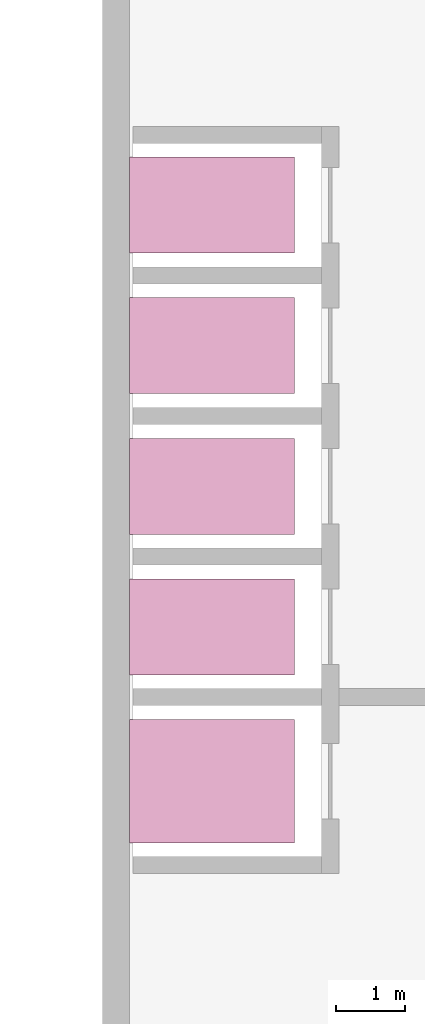
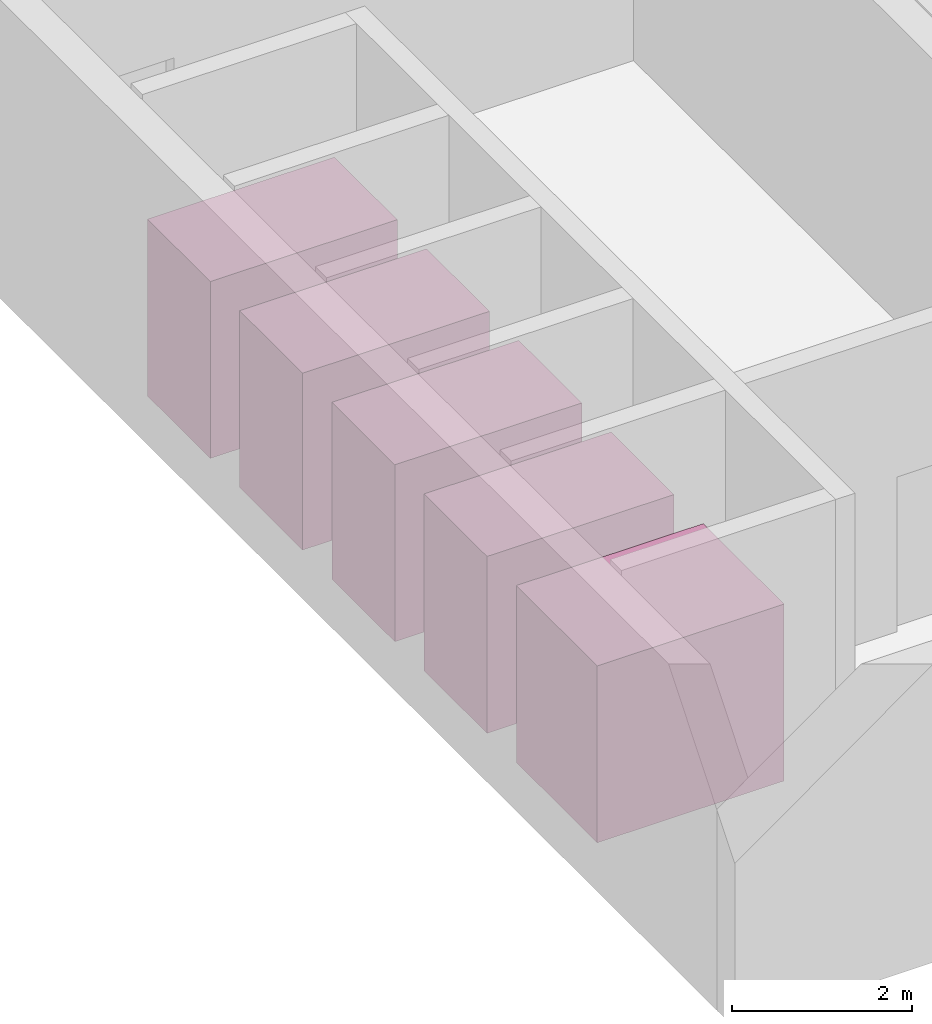
# One storey, part 96 of 96: 5 transport elements.
"""IFC4 building model written with IfcOpenShell, lengths in metres."""

from ifc_helpers import new_model, si_unit, direction, frame, origin, origin_2d, place, context, subcontext, project, spatial, rectangle, extrude, material, type_object, element, save


model = new_model("IFC4")

# Units and contexts
model_context = context("Model", 3, precision=1e-05, world=origin(), true_north=direction((0.0, 1.0)))
body_context = subcontext(model_context, "Body", "Model", "MODEL_VIEW")
ifc_project = project(units=[si_unit("LENGTHUNIT", "METRE"), si_unit("AREAUNIT", "SQUARE_METRE"), si_unit("VOLUMEUNIT", "CUBIC_METRE"), si_unit("PLANEANGLEUNIT", "RADIAN"), si_unit("MASSUNIT", "GRAM", prefix="KILO")], contexts=[model_context])

# Site, building, storey
site_placement = place(None, origin())
site = spatial("IfcSite", under=ifc_project, at=site_placement, CompositionType="ELEMENT")
building_placement = place(site_placement, origin())
building = spatial("IfcBuilding", under=site, at=building_placement, Name="Cresset Court Congress Hotel", CompositionType="ELEMENT")
storey_placement = place(building_placement, frame((0.0, 0.0, 6.0)))
storey = spatial("IfcBuildingStorey", under=building, at=storey_placement, Name="L01", CompositionType="ELEMENT", Elevation=6.0)

# Transport elements
ifc_material_1 = material(Name="Stainless steel", Category="steel")
transport_element_type_1 = type_object("IfcTransportElementType", Name="Firefighting lift 2500 kg", PredefinedType="ELEVATOR", material=ifc_material_1)
transport_element_placement = place(storey_placement, frame((169.39990234375, 29.64990234375, 0.10009765625), z_axis=(0.0, 0.0, 1.0), x_axis=(1.0, 0.0, 0.0)))
element("IfcTransportElement", 1, at=transport_element_placement, inside=storey, type_object=transport_element_type_1, Name="Firefighting lift LF-A1", PredefinedType="ELEVATOR", context=body_context, shape_type="SweptSolid", body=[
    extrude(rectangle(XDim=2.39990234375, YDim=1.800048828125, at=origin_2d()), origin(), (0.0, 0.0, 1.0), 2.39990234375),
])
ifc_material_2 = material(Name="Stainless steel", Category="steel")
transport_element_type_2 = type_object("IfcTransportElementType", Name="Passenger lift 1600 kg", PredefinedType="ELEVATOR", material=ifc_material_2)
for number, where, z_axis, x_axis, name in (
    (2, (169.39990234375, 31.89990234375, 0.10009765625), (0.0, 0.0, 1.0), (1.0, 0.0, 0.0), "Passenger lift LF-A2"),
    (3, (169.39990234375, 33.949951171875, 0.10009765625), (0.0, 0.0, 1.0), (1.0, 0.0, 0.0), "Passenger lift LF-A3"),
    (4, (169.39990234375, 36.0, 0.10009765625), (0.0, 0.0, 1.0), (1.0, 0.0, 0.0), "Passenger lift LF-A4"),
    (5, (169.39990234375, 38.050048828125, 0.10009765625), (0.0, 0.0, 1.0), (1.0, 0.0, 0.0), "Passenger lift LF-A5"),
):
    element("IfcTransportElement", number, at=place(storey_placement, frame(where, z_axis=z_axis, x_axis=x_axis)), inside=storey, type_object=transport_element_type_2, Name=name, PredefinedType="ELEVATOR", context=body_context, shape_type="SweptSolid", body=[
        extrude(rectangle(XDim=2.39990234375, YDim=1.39990234375, at=origin_2d()), origin(), (0.0, 0.0, 1.0), 2.39990234375),
    ])

save(model, "model.ifc")
